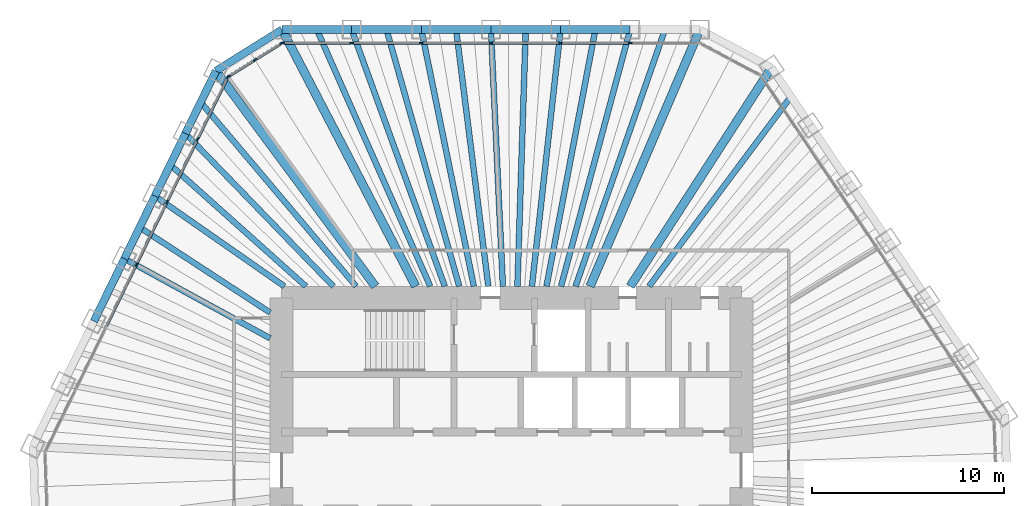
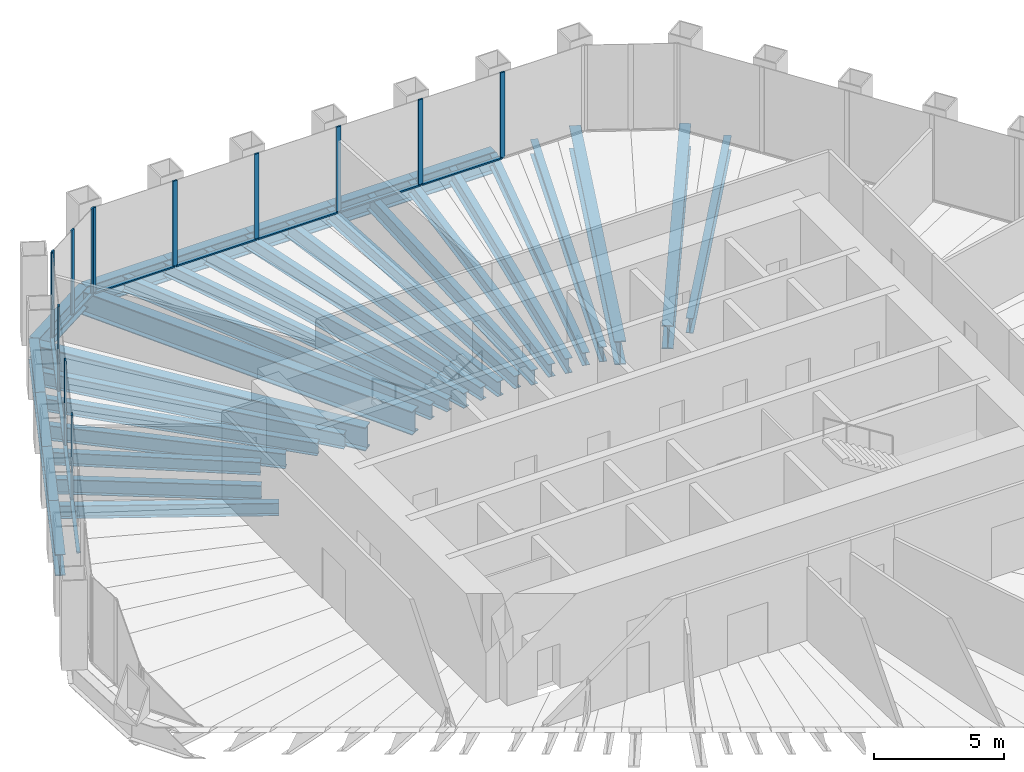
# One storey, part 6 of 13: 32 beams, 24 members, 3 elements without a shape of their own.
"""IFC4 building model written with IfcOpenShell, lengths in metres."""

from ifc_helpers import new_model, si_unit, direction, frame, origin, origin_2d, place, context, subcontext, project, spatial, rectangle, i_section, extrude, material, material_profile, profile_set, type_object, element, aggregate, save


model = new_model("IFC4")

# Units and contexts
model_context = context("Model", 3, precision=1e-05, world=origin(), true_north=direction((0.0, 1.0)))
body_context = subcontext(model_context, "Body", "Model", "MODEL_VIEW")
ifc_project = project(units=[si_unit("LENGTHUNIT", "METRE"), si_unit("AREAUNIT", "SQUARE_METRE"), si_unit("VOLUMEUNIT", "CUBIC_METRE"), si_unit("PLANEANGLEUNIT", "RADIAN"), si_unit("MASSUNIT", "GRAM", prefix="KILO")], contexts=[model_context])

# Site, building, storey
site_placement = place(None, origin())
site = spatial("IfcSite", under=ifc_project, at=site_placement, CompositionType="ELEMENT")
building_placement = place(site_placement, origin())
building = spatial("IfcBuilding", under=site, at=building_placement, Name="Qingtian Harvest Tower", CompositionType="ELEMENT")
storey_placement = place(building_placement, frame((0.0, 0.0, 222.39990234375)))
storey = spatial("IfcBuildingStorey", under=building, at=storey_placement, Name="L48", CompositionType="ELEMENT", Elevation=222.39990234375)

# Beams
ifc_material_1 = material(Name="Steel SM570MC", Category="steel")
ifc_material_profile_1 = material_profile(ifc_material_1, i_section(OverallWidth=0.449951171875, OverallDepth=1.10009765625, WebThickness=0.02197265625, FlangeThickness=0.044921875, at=origin_2d()), Name="H1100x450x22x45")
ifc_profile_set_1 = profile_set([ifc_material_profile_1], Name="Steel SM570MC")
beam_type_1 = type_object("IfcBeamType", Name="Corner floor beam FB8 H1100x450x22x45", PredefinedType="BEAM", material=ifc_profile_set_1)
beam_1_placement = place(storey_placement, frame((-11.971923828125, 23.0, -0.719970703125), z_axis=(0.461712460868, -0.887029651973, 0.0), x_axis=(0.887029651973, 0.461712460868, 0.0)))
element("IfcBeam", 1, at=beam_1_placement, inside=storey, type_object=beam_type_1, Name="Floor beam FB8 N0", PredefinedType="BEAM", context=body_context, shape_type="SweptSolid", body=[
    extrude(i_section(OverallWidth=0.449951171875, OverallDepth=1.10009765625, WebThickness=0.02197265625, FlangeThickness=0.044921875, at=origin_2d()), origin(), (0.0, 0.0, 1.0), 15.1064453125),
])
beam_2_placement = place(storey_placement, frame((9.829345703125, 23.0, -0.719970703125), z_axis=(-0.392976835482, -0.91954837109, 0.0), x_axis=(0.91954837109, -0.392976835482, 0.0)))
element("IfcBeam", 2, at=beam_2_placement, inside=storey, type_object=beam_type_1, Name="Floor beam FB8 N6", PredefinedType="BEAM", context=body_context, shape_type="SweptSolid", body=[
    extrude(i_section(OverallWidth=0.449951171875, OverallDepth=1.10009765625, WebThickness=0.02197265625, FlangeThickness=0.044921875, at=origin_2d()), origin(), (0.0, 0.0, 1.0), 14.572265625),
])
beam_3_placement = place(storey_placement, frame((13.5712890625, 21.01025390625, -0.719970703125), z_axis=(-0.542593072822, -0.839995688873, 0.0), x_axis=(0.839995688873, -0.542593072822, 0.0)))
element("IfcBeam", 3, at=beam_3_placement, inside=storey, type_object=beam_type_1, Name="Floor beam FB8 NE0", PredefinedType="BEAM", context=body_context, shape_type="SweptSolid", body=[
    extrude(i_section(OverallWidth=0.449951171875, OverallDepth=1.10009765625, WebThickness=0.02197265625, FlangeThickness=0.044921875, at=origin_2d()), origin(), (0.0, 0.0, 1.0), 13.58349609375),
])
beam_4_placement = place(storey_placement, frame((-15.424072265625, 20.8427734375, -0.719970703125), z_axis=(0.594854284538, -0.803833552526, 0.0), x_axis=(0.803833552526, 0.594854284538, 0.0)))
element("IfcBeam", 4, at=beam_4_placement, inside=storey, type_object=beam_type_1, Name="Floor beam FB8 NW6", PredefinedType="BEAM", context=body_context, shape_type="SweptSolid", body=[
    extrude(i_section(OverallWidth=0.449951171875, OverallDepth=1.10009765625, WebThickness=0.02197265625, FlangeThickness=0.044921875, at=origin_2d()), origin(), (0.0, 0.0, 1.0), 13.986328125),
])
ifc_material_2 = material(Name="Steel SN490B", Category="steel")
ifc_material_profile_2 = material_profile(ifc_material_2, i_section(OverallWidth=0.300048828125, OverallDepth=0.60009765625, WebThickness=0.011962890625, FlangeThickness=0.02001953125, at=origin_2d()), Name="H600x300x12x20")
ifc_profile_set_2 = profile_set([ifc_material_profile_2], Name="Steel SN490B")
beam_type_2 = type_object("IfcBeamType", Name="Floor beam FB3 H600x300x12x20", PredefinedType="BEAM", material=ifc_profile_set_2)
beam_5_placement = place(storey_placement, frame((-8.33837890625, 23.0, -0.469970703125), z_axis=(0.340826952705, -0.94012604916, 0.0), x_axis=(0.94012604916, 0.340826952705, 0.0)))
element("IfcBeam", 5, at=beam_5_placement, inside=storey, type_object=beam_type_2, Name="Floor beam FB3 N1", PredefinedType="BEAM", context=body_context, shape_type="SweptSolid", body=[
    extrude(i_section(OverallWidth=0.300048828125, OverallDepth=0.60009765625, WebThickness=0.011962890625, FlangeThickness=0.02001953125, at=origin_2d()), origin(), (0.0, 0.0, 1.0), 14.25341796875),
])
beam_6_placement = place(storey_placement, frame((-4.704833984375, 23.0, -0.469970703125), z_axis=(0.200401687601, -0.979713817197, 0.0), x_axis=(0.979713817197, 0.200401687601, 0.0)))
element("IfcBeam", 6, at=beam_6_placement, inside=storey, type_object=beam_type_2, Name="Floor beam FB3 N2", PredefinedType="BEAM", context=body_context, shape_type="SweptSolid", body=[
    extrude(i_section(OverallWidth=0.300048828125, OverallDepth=0.60009765625, WebThickness=0.011962890625, FlangeThickness=0.02001953125, at=origin_2d()), origin(), (0.0, 0.0, 1.0), 13.67724609375),
])
beam_7_placement = place(storey_placement, frame((-1.0712890625, 23.0, -0.469970703125), z_axis=(0.04651883736, -0.998917412888, 0.0), x_axis=(0.998917412888, 0.04651883736, 0.0)))
element("IfcBeam", 7, at=beam_7_placement, inside=storey, type_object=beam_type_2, Name="Floor beam FB3 N3", PredefinedType="BEAM", context=body_context, shape_type="SweptSolid", body=[
    extrude(i_section(OverallWidth=0.300048828125, OverallDepth=0.60009765625, WebThickness=0.011962890625, FlangeThickness=0.02001953125, at=origin_2d()), origin(), (0.0, 0.0, 1.0), 13.414306640625),
])
beam_8_placement = place(storey_placement, frame((2.562255859375, 23.0, -0.469970703125), z_axis=(-0.110727645803, -0.993850787822, 0.0), x_axis=(0.993850787822, -0.110727645803, 0.0)))
element("IfcBeam", 8, at=beam_8_placement, inside=storey, type_object=beam_type_2, Name="Floor beam FB3 N4", PredefinedType="BEAM", context=body_context, shape_type="SweptSolid", body=[
    extrude(i_section(OverallWidth=0.300048828125, OverallDepth=0.60009765625, WebThickness=0.011962890625, FlangeThickness=0.02001953125, at=origin_2d()), origin(), (0.0, 0.0, 1.0), 13.48291015625),
])
beam_9_placement = place(storey_placement, frame((6.19580078125, 23.0, -0.469970703125), z_axis=(-0.260121100906, -0.965576000563, 0.0), x_axis=(0.965576000563, -0.260121100906, 0.0)))
element("IfcBeam", 9, at=beam_9_placement, inside=storey, type_object=beam_type_2, Name="Floor beam FB3 N5", PredefinedType="BEAM", context=body_context, shape_type="SweptSolid", body=[
    extrude(i_section(OverallWidth=0.300048828125, OverallDepth=0.60009765625, WebThickness=0.011962890625, FlangeThickness=0.02001953125, at=origin_2d()), origin(), (0.0, 0.0, 1.0), 13.877685546875),
])
beam_10_placement = place(storey_placement, frame((-20.20263671875, 11.04541015625, -0.469970703125), z_axis=(0.87742673539, -0.479710666988, 0.0), x_axis=(0.479710666988, 0.87742673539, 0.0)))
element("IfcBeam", 10, at=beam_10_placement, inside=storey, type_object=beam_type_2, Name="Floor beam FB3 NW3", PredefinedType="BEAM", context=body_context, shape_type="SweptSolid", body=[
    extrude(i_section(OverallWidth=0.300048828125, OverallDepth=0.60009765625, WebThickness=0.011962890625, FlangeThickness=0.02001953125, at=origin_2d()), origin(), (0.0, 0.0, 1.0), 8.66455078125),
])
beam_11_placement = place(storey_placement, frame((-18.60986328125, 14.311279296875, -0.469970703125), z_axis=(0.820407854234, -0.571778762032, 0.0), x_axis=(0.571778762032, 0.820407854234, 0.0)))
element("IfcBeam", 11, at=beam_11_placement, inside=storey, type_object=beam_type_2, Name="Floor beam FB3 NW4", PredefinedType="BEAM", context=body_context, shape_type="SweptSolid", body=[
    extrude(i_section(OverallWidth=0.300048828125, OverallDepth=0.60009765625, WebThickness=0.011962890625, FlangeThickness=0.02001953125, at=origin_2d()), origin(), (0.0, 0.0, 1.0), 8.239501953125),
])
beam_12_placement = place(storey_placement, frame((-17.016845703125, 17.5771484375, -0.469970703125), z_axis=(0.695569024353, -0.718459276759, 0.0), x_axis=(0.718459276759, 0.695569024353, 0.0)))
element("IfcBeam", 12, at=beam_12_placement, inside=storey, type_object=beam_type_2, Name="Floor beam FB3 NW5", PredefinedType="BEAM", context=body_context, shape_type="SweptSolid", body=[
    extrude(i_section(OverallWidth=0.300048828125, OverallDepth=0.60009765625, WebThickness=0.011962890625, FlangeThickness=0.02001953125, at=origin_2d()), origin(), (0.0, 0.0, 1.0), 11.10302734375),
])
ifc_material_3 = material(Name="Steel SN490B", Category="steel")
ifc_material_profile_3 = material_profile(ifc_material_3, i_section(OverallWidth=0.300048828125, OverallDepth=0.699951171875, WebThickness=0.012939453125, FlangeThickness=0.02392578125, at=origin_2d()), Name="H700x300x13x24")
ifc_profile_set_3 = profile_set([ifc_material_profile_3], Name="Steel SN490B")
beam_type_3 = type_object("IfcBeamType", Name="Floor joist J2 H700x300x13x24", PredefinedType="JOIST", material=ifc_profile_set_3)
beam_13_placement = place(storey_placement, frame((-10.1552734375, 23.0, -0.52001953125), z_axis=(0.40391347792, -0.914797191925, 0.0), x_axis=(0.914797191925, 0.40391347792, 0.0)))
element("IfcBeam", 13, at=beam_13_placement, inside=storey, type_object=beam_type_3, Name="Floor joist J2 N0", PredefinedType="JOIST", context=body_context, shape_type="SweptSolid", body=[
    extrude(i_section(OverallWidth=0.300048828125, OverallDepth=0.699951171875, WebThickness=0.012939453125, FlangeThickness=0.02392578125, at=origin_2d()), origin(), (0.0, 0.0, 1.0), 14.64794921875),
])
beam_14_placement = place(storey_placement, frame((-6.521728515625, 23.0, -0.52001953125), z_axis=(0.272796737564, -0.962071691702, 0.0), x_axis=(0.962071691702, 0.272796737564, 0.0)))
element("IfcBeam", 14, at=beam_14_placement, inside=storey, type_object=beam_type_3, Name="Floor joist J2 N1", PredefinedType="JOIST", context=body_context, shape_type="SweptSolid", body=[
    extrude(i_section(OverallWidth=0.300048828125, OverallDepth=0.699951171875, WebThickness=0.012939453125, FlangeThickness=0.02392578125, at=origin_2d()), origin(), (0.0, 0.0, 1.0), 13.92822265625),
])
beam_15_placement = place(storey_placement, frame((-2.88818359375, 23.0, -0.52001953125), z_axis=(0.124590949529, -0.992208191508, 0.0), x_axis=(0.992208191508, 0.124590949529, 0.0)))
element("IfcBeam", 15, at=beam_15_placement, inside=storey, type_object=beam_type_3, Name="Floor joist J2 N2", PredefinedType="JOIST", context=body_context, shape_type="SweptSolid", body=[
    extrude(i_section(OverallWidth=0.300048828125, OverallDepth=0.699951171875, WebThickness=0.012939453125, FlangeThickness=0.02392578125, at=origin_2d()), origin(), (0.0, 0.0, 1.0), 13.505126953125),
])
beam_16_placement = place(storey_placement, frame((0.745361328125, 23.0, -0.52001953125), z_axis=(-0.032395624487, -0.99947512401, 0.0), x_axis=(0.99947512401, -0.032395624487, 0.0)))
element("IfcBeam", 16, at=beam_16_placement, inside=storey, type_object=beam_type_3, Name="Floor joist J2 N3", PredefinedType="JOIST", context=body_context, shape_type="SweptSolid", body=[
    extrude(i_section(OverallWidth=0.300048828125, OverallDepth=0.699951171875, WebThickness=0.012939453125, FlangeThickness=0.02392578125, at=origin_2d()), origin(), (0.0, 0.0, 1.0), 13.406982421875),
])
beam_17_placement = place(storey_placement, frame((4.37890625, 23.0, -0.52001953125), z_axis=(-0.187034797062, -0.982353289142, 0.0), x_axis=(0.982353289142, -0.187034797062, 0.0)))
element("IfcBeam", 17, at=beam_17_placement, inside=storey, type_object=beam_type_3, Name="Floor joist J2 N4", PredefinedType="JOIST", context=body_context, shape_type="SweptSolid", body=[
    extrude(i_section(OverallWidth=0.300048828125, OverallDepth=0.699951171875, WebThickness=0.012939453125, FlangeThickness=0.02392578125, at=origin_2d()), origin(), (0.0, 0.0, 1.0), 13.640625),
])
beam_18_placement = place(storey_placement, frame((8.012451171875, 23.0, -0.52001953125), z_axis=(-0.328969033283, -0.944340709247, 0.0), x_axis=(0.944340709247, -0.328969033283, 0.0)))
element("IfcBeam", 18, at=beam_18_placement, inside=storey, type_object=beam_type_3, Name="Floor joist J2 N5", PredefinedType="JOIST", context=body_context, shape_type="SweptSolid", body=[
    extrude(i_section(OverallWidth=0.300048828125, OverallDepth=0.699951171875, WebThickness=0.012939453125, FlangeThickness=0.02392578125, at=origin_2d()), origin(), (0.0, 0.0, 1.0), 14.189697265625),
])
beam_19_placement = place(storey_placement, frame((14.58740234375, 19.504150390625, -0.52001953125), z_axis=(-0.598935081494, -0.800797582511, 0.0), x_axis=(0.800797582511, -0.598935081494, 0.0)))
element("IfcBeam", 19, at=beam_19_placement, inside=storey, type_object=beam_type_3, Name="Floor joist J2 NE0", PredefinedType="JOIST", context=body_context, shape_type="SweptSolid", body=[
    extrude(i_section(OverallWidth=0.300048828125, OverallDepth=0.699951171875, WebThickness=0.012939453125, FlangeThickness=0.02392578125, at=origin_2d()), origin(), (0.0, 0.0, 1.0), 12.36767578125),
])
beam_20_placement = place(storey_placement, frame((-19.40625, 12.678466796875, -0.52001953125), z_axis=(0.837161066611, -0.546956441182, 0.0), x_axis=(0.546956441182, 0.837161066611, 0.0)))
element("IfcBeam", 20, at=beam_20_placement, inside=storey, type_object=beam_type_3, Name="Floor joist J2 NW3", PredefinedType="JOIST", context=body_context, shape_type="SweptSolid", body=[
    extrude(i_section(OverallWidth=0.300048828125, OverallDepth=0.699951171875, WebThickness=0.012939453125, FlangeThickness=0.02392578125, at=origin_2d()), origin(), (0.0, 0.0, 1.0), 8.130126953125),
])
beam_21_placement = place(storey_placement, frame((-17.813232421875, 15.944091796875, -0.52001953125), z_axis=(0.745126517589, -0.66692313859, 0.0), x_axis=(0.66692313859, 0.745126517589, 0.0)))
element("IfcBeam", 21, at=beam_21_placement, inside=storey, type_object=beam_type_3, Name="Floor joist J2 NW4", PredefinedType="JOIST", context=body_context, shape_type="SweptSolid", body=[
    extrude(i_section(OverallWidth=0.300048828125, OverallDepth=0.699951171875, WebThickness=0.012939453125, FlangeThickness=0.02392578125, at=origin_2d()), origin(), (0.0, 0.0, 1.0), 9.512451171875),
])
beam_22_placement = place(storey_placement, frame((-16.220458984375, 19.2099609375, -0.52001953125), z_axis=(0.645157903911, -0.764049264787, 0.0), x_axis=(0.764049264787, 0.645157903911, 0.0)))
element("IfcBeam", 22, at=beam_22_placement, inside=storey, type_object=beam_type_3, Name="Floor joist J2 NW5", PredefinedType="JOIST", context=body_context, shape_type="SweptSolid", body=[
    extrude(i_section(OverallWidth=0.300048828125, OverallDepth=0.699951171875, WebThickness=0.012939453125, FlangeThickness=0.02392578125, at=origin_2d()), origin(), (0.0, 0.0, 1.0), 12.57763671875),
])

# Curtain wall, members
ifc_material_4 = material(Name="Bronze-anodised aluminium curtain wall", Category="aluminium")
curtain_wall_type = type_object("IfcCurtainWallType", Name="Curtain wall CW4 office", PredefinedType="USERDEFINED", material=ifc_material_4)
curtain_wall_1_placement = place(storey_placement, origin())
curtain_wall_1 = element("IfcCurtainWall", 23, at=curtain_wall_1_placement, inside=storey, type_object=curtain_wall_type, Name="Curtain wall CW4 L48 N0-5", ObjectType="RECESSED CURTAIN WALL", PredefinedType="USERDEFINED")
ifc_material_5 = material(Name="Bronze-anodised aluminium mullion", Category="aluminium")
ifc_material_profile_4 = material_profile(ifc_material_5, rectangle(XDim=0.06494140625, YDim=0.199951171875, at=origin_2d()), Name="AL 65x200")
ifc_profile_set_4 = profile_set([ifc_material_profile_4], Name="Bronze-anodised aluminium mullion")
member_type_1 = type_object("IfcMemberType", Name="Mullion CWM 65x200", PredefinedType="MULLION", material=ifc_profile_set_4)
member_1_placement = place(storey_placement, frame((-11.939453125, 22.300048828125, 0.0), z_axis=(0.0, 0.0, 1.0), x_axis=(0.0, 1.0, 0.0)))
member_1 = element("IfcMember", 24, at=member_1_placement, type_object=member_type_1, Name="CW4 mullion 1", PredefinedType="MULLION", context=body_context, shape_type="SweptSolid", body=[
    extrude(rectangle(XDim=0.06494140625, YDim=0.199951171875, at=origin_2d()), origin(), (0.0, 0.0, 1.0), 4.030029296875),
])
member_2_placement = place(storey_placement, frame((-8.33837890625, 22.300048828125, 0.0), z_axis=(0.0, 0.0, 1.0), x_axis=(0.0, 1.0, 0.0)))
member_2 = element("IfcMember", 25, at=member_2_placement, type_object=member_type_1, Name="CW4 mullion 2", PredefinedType="MULLION", context=body_context, shape_type="SweptSolid", body=[
    extrude(rectangle(XDim=0.06494140625, YDim=0.199951171875, at=origin_2d()), origin(), (0.0, 0.0, 1.0), 4.030029296875),
])
member_3_placement = place(storey_placement, frame((-4.704833984375, 22.300048828125, 0.0), z_axis=(0.0, 0.0, 1.0), x_axis=(0.0, 1.0, 0.0)))
member_3 = element("IfcMember", 26, at=member_3_placement, type_object=member_type_1, Name="CW4 mullion 3", PredefinedType="MULLION", context=body_context, shape_type="SweptSolid", body=[
    extrude(rectangle(XDim=0.06494140625, YDim=0.199951171875, at=origin_2d()), origin(), (0.0, 0.0, 1.0), 4.030029296875),
])
member_4_placement = place(storey_placement, frame((-1.0712890625, 22.300048828125, 0.0), z_axis=(0.0, 0.0, 1.0), x_axis=(0.0, 1.0, 0.0)))
member_4 = element("IfcMember", 27, at=member_4_placement, type_object=member_type_1, Name="CW4 mullion 4", PredefinedType="MULLION", context=body_context, shape_type="SweptSolid", body=[
    extrude(rectangle(XDim=0.06494140625, YDim=0.199951171875, at=origin_2d()), origin(), (0.0, 0.0, 1.0), 4.030029296875),
])
member_5_placement = place(storey_placement, frame((2.562255859375, 22.300048828125, 0.0), z_axis=(0.0, 0.0, 1.0), x_axis=(0.0, 1.0, 0.0)))
member_5 = element("IfcMember", 28, at=member_5_placement, type_object=member_type_1, Name="CW4 mullion 5", PredefinedType="MULLION", context=body_context, shape_type="SweptSolid", body=[
    extrude(rectangle(XDim=0.06494140625, YDim=0.199951171875, at=origin_2d()), origin(), (0.0, 0.0, 1.0), 4.030029296875),
])
member_6_placement = place(storey_placement, frame((6.19580078125, 22.300048828125, 0.0), z_axis=(0.0, 0.0, 1.0), x_axis=(0.0, 1.0, 0.0)))
member_6 = element("IfcMember", 29, at=member_6_placement, type_object=member_type_1, Name="CW4 mullion 6", PredefinedType="MULLION", context=body_context, shape_type="SweptSolid", body=[
    extrude(rectangle(XDim=0.06494140625, YDim=0.199951171875, at=origin_2d()), origin(), (0.0, 0.0, 1.0), 4.030029296875),
])

curtain_wall_2_placement = place(storey_placement, origin())
curtain_wall_2 = element("IfcCurtainWall", 30, at=curtain_wall_2_placement, inside=storey, type_object=curtain_wall_type, Name="Curtain wall CW4 L48 NW0-5", ObjectType="RECESSED CURTAIN WALL", PredefinedType="USERDEFINED")
member_7_placement = place(storey_placement, frame((-19.573486328125, 10.738525390625, 0.0), z_axis=(0.0, 0.0, 1.0), x_axis=(-0.898794046299, 0.438371146789, 0.0)))
member_7 = element("IfcMember", 31, at=member_7_placement, type_object=member_type_1, Name="CW4 mullion 4", PredefinedType="MULLION", context=body_context, shape_type="SweptSolid", body=[
    extrude(rectangle(XDim=0.06494140625, YDim=0.199951171875, at=origin_2d()), origin(), (0.0, 0.0, 1.0), 4.030029296875),
])
member_8_placement = place(storey_placement, frame((-17.980712890625, 14.00439453125, 0.0), z_axis=(0.0, 0.0, 1.0), x_axis=(-0.898794046299, 0.438371146789, 0.0)))
member_8 = element("IfcMember", 32, at=member_8_placement, type_object=member_type_1, Name="CW4 mullion 5", PredefinedType="MULLION", context=body_context, shape_type="SweptSolid", body=[
    extrude(rectangle(XDim=0.06494140625, YDim=0.199951171875, at=origin_2d()), origin(), (0.0, 0.0, 1.0), 4.030029296875),
])
member_9_placement = place(storey_placement, frame((-16.3876953125, 17.270263671875, 0.0), z_axis=(0.0, 0.0, 1.0), x_axis=(-0.898794046299, 0.438371146789, 0.0)))
member_9 = element("IfcMember", 33, at=member_9_placement, type_object=member_type_1, Name="CW4 mullion 6", PredefinedType="MULLION", context=body_context, shape_type="SweptSolid", body=[
    extrude(rectangle(XDim=0.06494140625, YDim=0.199951171875, at=origin_2d()), origin(), (0.0, 0.0, 1.0), 4.030029296875),
])
member_10_placement = place(storey_placement, frame((-14.80908203125, 20.5068359375, 0.0), z_axis=(0.0, 0.0, 1.0), x_axis=(-0.898794046299, 0.438371146789, 0.0)))
member_10 = element("IfcMember", 34, at=member_10_placement, type_object=member_type_1, Name="CW4 mullion 7", PredefinedType="MULLION", context=body_context, shape_type="SweptSolid", body=[
    extrude(rectangle(XDim=0.06494140625, YDim=0.199951171875, at=origin_2d()), origin(), (0.0, 0.0, 1.0), 4.030029296875),
])

curtain_wall_3_placement = place(storey_placement, origin())
curtain_wall_3 = element("IfcCurtainWall", 35, at=curtain_wall_3_placement, inside=storey, type_object=curtain_wall_type, Name="Curtain wall CW4 L48 NWC", ObjectType="RECESSED CURTAIN WALL", PredefinedType="USERDEFINED")
member_11_placement = place(storey_placement, frame((-14.767333984375, 20.55322265625, 0.0), z_axis=(0.0, 0.0, 1.0), x_axis=(-0.529919264233, 0.848048096156, 0.0)))
member_11 = element("IfcMember", 36, at=member_11_placement, type_object=member_type_1, Name="CW4 mullion 1", PredefinedType="MULLION", context=body_context, shape_type="SweptSolid", body=[
    extrude(rectangle(XDim=0.06494140625, YDim=0.199951171875, at=origin_2d()), origin(), (0.0, 0.0, 1.0), 4.030029296875),
])
member_12_placement = place(storey_placement, frame((-13.383544921875, 21.41796875, 0.0), z_axis=(0.0, 0.0, 1.0), x_axis=(-0.529919264233, 0.848048096156, 0.0)))
member_12 = element("IfcMember", 37, at=member_12_placement, type_object=member_type_1, Name="CW4 mullion 2", PredefinedType="MULLION", context=body_context, shape_type="SweptSolid", body=[
    extrude(rectangle(XDim=0.06494140625, YDim=0.199951171875, at=origin_2d()), origin(), (0.0, 0.0, 1.0), 4.030029296875),
])
member_13_placement = place(storey_placement, frame((-11.99951171875, 22.28271484375, 0.0), z_axis=(0.0, 0.0, 1.0), x_axis=(-0.529919264233, 0.848048096156, 0.0)))
member_13 = element("IfcMember", 38, at=member_13_placement, type_object=member_type_1, Name="CW4 mullion 3", PredefinedType="MULLION", context=body_context, shape_type="SweptSolid", body=[
    extrude(rectangle(XDim=0.06494140625, YDim=0.199951171875, at=origin_2d()), origin(), (0.0, 0.0, 1.0), 4.030029296875),
])

# Beams
ifc_material_6 = material(Name="Steel SN490B", Category="steel")
ifc_material_profile_5 = material_profile(ifc_material_6, i_section(OverallWidth=0.39990234375, OverallDepth=1.0, WebThickness=0.01904296875, FlangeThickness=0.035888671875, at=origin_2d()), Name="H1000x400x19x36")
ifc_profile_set_5 = profile_set([ifc_material_profile_5], Name="Steel SN490B")
beam_type_4 = type_object("IfcBeamType", Name="Spandrel beam SB3 H1000x400x19x36", PredefinedType="SPANDREL", material=ifc_profile_set_5)
for number, where, z_axis, x_axis, name in (
    (39, (-11.971923828125, 23.0, -0.5), (1.0, 0.0, 0.0), (0.0, 1.0, 0.0), "Spandrel SB3 N0"),
    (40, (-8.33837890625, 23.0, -0.5), (1.0, 0.0, 0.0), (0.0, 1.0, 0.0), "Spandrel SB3 N1"),
    (41, (-4.704833984375, 23.0, -0.5), (1.0, 0.0, 0.0), (0.0, 1.0, 0.0), "Spandrel SB3 N2"),
    (42, (-1.0712890625, 23.0, -0.5), (1.0, 0.0, 0.0), (0.0, 1.0, 0.0), "Spandrel SB3 N3"),
    (43, (2.562255859375, 23.0, -0.5), (1.0, 0.0, 0.0), (0.0, 1.0, 0.0), "Spandrel SB3 N4"),
    (44, (-21.79541015625, 7.779541015625, -0.5), (0.438349498419, 0.898804604592, 0.0), (-0.898804604592, 0.438349498419, 0.0), "Spandrel SB3 NW2"),
    (45, (-20.20263671875, 11.04541015625, -0.5), (0.438349498419, 0.898804604592, 0.0), (-0.898804604592, 0.438349498419, 0.0), "Spandrel SB3 NW3"),
):
    element("IfcBeam", number, at=place(storey_placement, frame(where, z_axis=z_axis, x_axis=x_axis)), inside=storey, type_object=beam_type_4, Name=name, PredefinedType="SPANDREL", context=body_context, shape_type="SweptSolid", body=[
        extrude(i_section(OverallWidth=0.39990234375, OverallDepth=1.0, WebThickness=0.01904296875, FlangeThickness=0.035888671875, at=origin_2d()), origin(), (0.0, 0.0, 1.0), 3.633544921875),
    ])
beam_23_placement = place(storey_placement, frame((-18.60986328125, 14.311279296875, -0.5), z_axis=(0.438403775684, 0.898778131391, 0.0), x_axis=(-0.898778131391, 0.438403775684, 0.0)))
element("IfcBeam", 46, at=beam_23_placement, inside=storey, type_object=beam_type_4, Name="Spandrel SB3 NW4", PredefinedType="SPANDREL", context=body_context, shape_type="SweptSolid", body=[
    extrude(i_section(OverallWidth=0.39990234375, OverallDepth=1.0, WebThickness=0.01904296875, FlangeThickness=0.035888671875, at=origin_2d()), origin(), (0.0, 0.0, 1.0), 3.6337890625),
])
beam_24_placement = place(storey_placement, frame((-17.016845703125, 17.5771484375, -0.5), z_axis=(0.43837597217, 0.898791692788, 0.0), x_axis=(-0.898791692788, 0.43837597217, 0.0)))
element("IfcBeam", 47, at=beam_24_placement, inside=storey, type_object=beam_type_4, Name="Spandrel SB3 NW5", PredefinedType="SPANDREL", context=body_context, shape_type="SweptSolid", body=[
    extrude(i_section(OverallWidth=0.39990234375, OverallDepth=1.0, WebThickness=0.01904296875, FlangeThickness=0.035888671875, at=origin_2d()), origin(), (0.0, 0.0, 1.0), 3.63330078125),
])
beam_25_placement = place(storey_placement, frame((-15.424072265625, 20.8427734375, -0.5), z_axis=(0.848038733752, 0.529934246919, 0.0), x_axis=(-0.529934246919, 0.848038733752, 0.0)))
element("IfcBeam", 48, at=beam_25_placement, inside=storey, type_object=beam_type_4, Name="Spandrel SB3 NWC", PredefinedType="SPANDREL", context=body_context, shape_type="SweptSolid", body=[
    extrude(i_section(OverallWidth=0.39990234375, OverallDepth=1.0, WebThickness=0.01904296875, FlangeThickness=0.035888671875, at=origin_2d()), origin(), (0.0, 0.0, 1.0), 4.07080078125),
])

# Member
ifc_material_7 = material(Name="Bronze-anodised aluminium transom", Category="aluminium")
ifc_material_profile_6 = material_profile(ifc_material_7, rectangle(XDim=0.14990234375, YDim=0.06494140625, at=origin_2d()), Name="AL 65x150")
ifc_profile_set_6 = profile_set([ifc_material_profile_6], Name="Bronze-anodised aluminium transom")
member_type_2 = type_object("IfcMemberType", Name="Transom CWT 65x150", PredefinedType="USERDEFINED", material=ifc_profile_set_6)
member_14_placement = place(storey_placement, frame((-11.906982421875, 22.300048828125, 0.03271484375), z_axis=(1.0, 0.0, 0.0), x_axis=(0.0, 1.0, 0.0)))
member_14 = element("IfcMember", 49, at=member_14_placement, type_object=member_type_2, Name="CW4 transom 1.1", ObjectType="TRANSOM", PredefinedType="USERDEFINED", context=body_context, shape_type="SweptSolid", body=[
    extrude(rectangle(XDim=0.14990234375, YDim=0.06494140625, at=origin_2d()), origin(), (0.0, 0.0, 1.0), 3.5361328125),
])

member_15_placement = place(storey_placement, frame((-8.305908203125, 22.300048828125, 0.03271484375), z_axis=(1.0, 0.0, 0.0), x_axis=(0.0, 1.0, 0.0)))
member_15 = element("IfcMember", 50, at=member_15_placement, type_object=member_type_2, Name="CW4 transom 2.1", ObjectType="TRANSOM", PredefinedType="USERDEFINED", context=body_context, shape_type="SweptSolid", body=[
    extrude(rectangle(XDim=0.14990234375, YDim=0.06494140625, at=origin_2d()), origin(), (0.0, 0.0, 1.0), 3.568603515625),
])

member_16_placement = place(storey_placement, frame((-4.67236328125, 22.300048828125, 0.03271484375), z_axis=(1.0, 0.0, 0.0), x_axis=(0.0, 1.0, 0.0)))
member_16 = element("IfcMember", 51, at=member_16_placement, type_object=member_type_2, Name="CW4 transom 3.1", ObjectType="TRANSOM", PredefinedType="USERDEFINED", context=body_context, shape_type="SweptSolid", body=[
    extrude(rectangle(XDim=0.14990234375, YDim=0.06494140625, at=origin_2d()), origin(), (0.0, 0.0, 1.0), 3.568603515625),
])

member_17_placement = place(storey_placement, frame((-1.038818359375, 22.300048828125, 0.03271484375), z_axis=(1.0, 0.0, 0.0), x_axis=(0.0, 1.0, 0.0)))
member_17 = element("IfcMember", 52, at=member_17_placement, type_object=member_type_2, Name="CW4 transom 4.1", ObjectType="TRANSOM", PredefinedType="USERDEFINED", context=body_context, shape_type="SweptSolid", body=[
    extrude(rectangle(XDim=0.14990234375, YDim=0.06494140625, at=origin_2d()), origin(), (0.0, 0.0, 1.0), 3.568603515625),
])

member_18_placement = place(storey_placement, frame((2.5947265625, 22.300048828125, 0.03271484375), z_axis=(1.0, 0.0, 0.0), x_axis=(0.0, 1.0, 0.0)))
member_18 = element("IfcMember", 53, at=member_18_placement, type_object=member_type_2, Name="CW4 transom 5.1", ObjectType="TRANSOM", PredefinedType="USERDEFINED", context=body_context, shape_type="SweptSolid", body=[
    extrude(rectangle(XDim=0.14990234375, YDim=0.06494140625, at=origin_2d()), origin(), (0.0, 0.0, 1.0), 3.568603515625),
])

aggregate(curtain_wall_1, [member_1, member_2, member_3, member_4, member_5, member_6, member_14, member_15, member_16, member_17, member_18])

member_19_placement = place(storey_placement, frame((-21.152099609375, 7.501953125, 0.03271484375), z_axis=(0.438380500422, 0.898789484167, 0.0), x_axis=(-0.898789484167, 0.438380500422, 0.0)))
member_19 = element("IfcMember", 54, at=member_19_placement, type_object=member_type_2, Name="CW4 transom 3.1", ObjectType="TRANSOM", PredefinedType="USERDEFINED", context=body_context, shape_type="SweptSolid", body=[
    extrude(rectangle(XDim=0.14990234375, YDim=0.06494140625, at=origin_2d()), origin(), (0.0, 0.0, 1.0), 3.568603515625),
])

member_20_placement = place(storey_placement, frame((-19.559326171875, 10.767822265625, 0.03271484375), z_axis=(0.438407456795, 0.898776335818, 0.0), x_axis=(-0.898776335818, 0.438407456795, 0.0)))
member_20 = element("IfcMember", 55, at=member_20_placement, type_object=member_type_2, Name="CW4 transom 4.1", ObjectType="TRANSOM", PredefinedType="USERDEFINED", context=body_context, shape_type="SweptSolid", body=[
    extrude(rectangle(XDim=0.14990234375, YDim=0.06494140625, at=origin_2d()), origin(), (0.0, 0.0, 1.0), 3.568603515625),
])

member_21_placement = place(storey_placement, frame((-17.96630859375, 14.03369140625, 0.03271484375), z_axis=(0.438352188226, 0.898803292761, 0.0), x_axis=(-0.898803292761, 0.438352188226, 0.0)))
member_21 = element("IfcMember", 56, at=member_21_placement, type_object=member_type_2, Name="CW4 transom 5.1", ObjectType="TRANSOM", PredefinedType="USERDEFINED", context=body_context, shape_type="SweptSolid", body=[
    extrude(rectangle(XDim=0.14990234375, YDim=0.06494140625, at=origin_2d()), origin(), (0.0, 0.0, 1.0), 3.568359375),
])

member_22_placement = place(storey_placement, frame((-16.37353515625, 17.29931640625, 0.03271484375), z_axis=(0.438354255898, 0.898802284341, 0.0), x_axis=(-0.898802284341, 0.438354255898, 0.0)))
member_22 = element("IfcMember", 57, at=member_22_placement, type_object=member_type_2, Name="CW4 transom 6.1", ObjectType="TRANSOM", PredefinedType="USERDEFINED", context=body_context, shape_type="SweptSolid", body=[
    extrude(rectangle(XDim=0.14990234375, YDim=0.06494140625, at=origin_2d()), origin(), (0.0, 0.0, 1.0), 3.5361328125),
])

aggregate(curtain_wall_2, [member_7, member_8, member_9, member_10, member_19, member_20, member_21, member_22])

member_23_placement = place(storey_placement, frame((-14.73974609375, 20.570556640625, 0.03271484375), z_axis=(0.848015812303, 0.529970925697, 0.0), x_axis=(-0.529970925697, 0.848015812303, 0.0)))
member_23 = element("IfcMember", 58, at=member_23_placement, type_object=member_type_2, Name="CW4 transom 1.1", ObjectType="TRANSOM", PredefinedType="USERDEFINED", context=body_context, shape_type="SweptSolid", body=[
    extrude(rectangle(XDim=0.14990234375, YDim=0.06494140625, at=origin_2d()), origin(), (0.0, 0.0, 1.0), 1.566650390625),
])

member_24_placement = place(storey_placement, frame((-13.35595703125, 21.435302734375, 0.03271484375), z_axis=(0.848059570903, 0.529900900357, 0.0), x_axis=(-0.529900900357, 0.848059570903, 0.0)))
member_24 = element("IfcMember", 59, at=member_24_placement, type_object=member_type_2, Name="CW4 transom 2.1", ObjectType="TRANSOM", PredefinedType="USERDEFINED", context=body_context, shape_type="SweptSolid", body=[
    extrude(rectangle(XDim=0.14990234375, YDim=0.06494140625, at=origin_2d()), origin(), (0.0, 0.0, 1.0), 1.56689453125),
])

aggregate(curtain_wall_3, [member_11, member_12, member_13, member_23, member_24])

save(model, "model.ifc")
